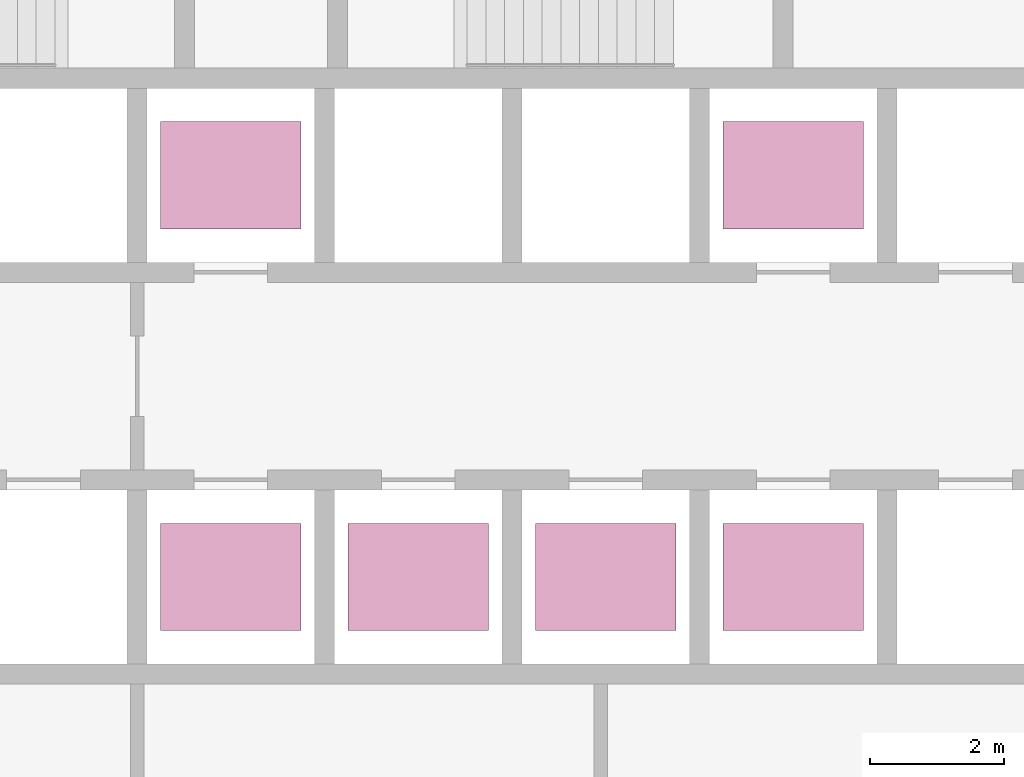
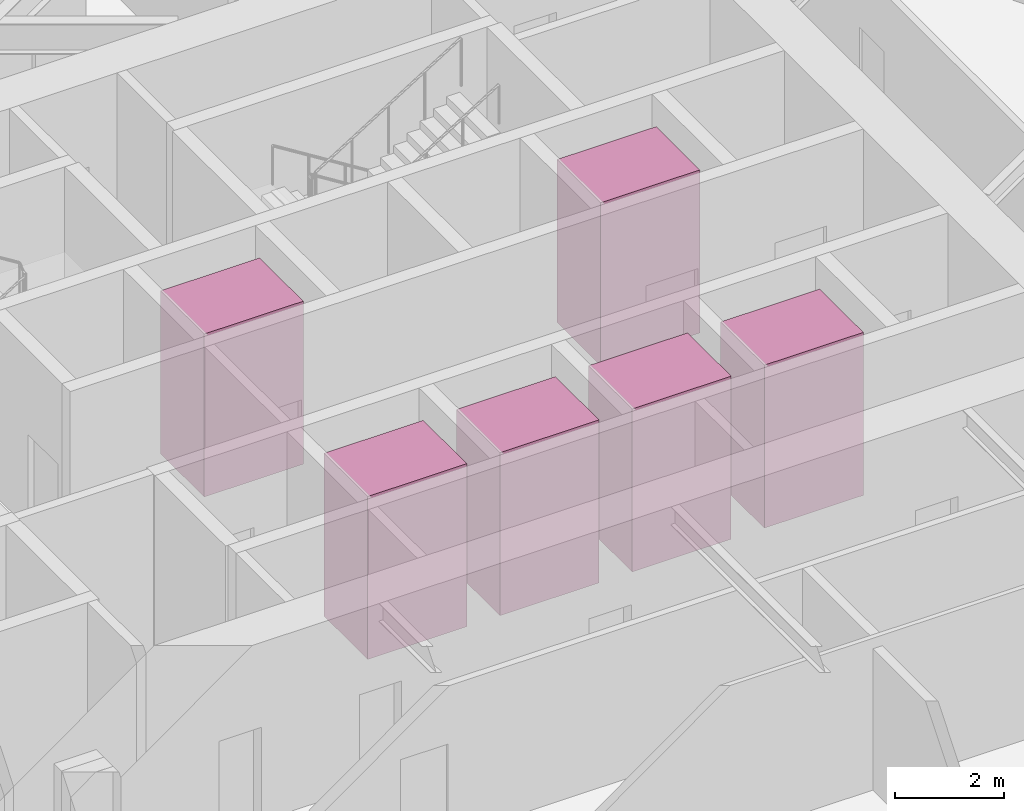
# One storey, part 19 of 19: 6 transport elements.
"""IFC4 building model written with IfcOpenShell, lengths in metres."""

from ifc_helpers import new_model, si_unit, direction, frame, origin, origin_2d, place, context, subcontext, project, spatial, rectangle, extrude, material, type_object, element, save


model = new_model("IFC4")

# Units and contexts
model_context = context("Model", 3, precision=1e-05, world=origin(), true_north=direction((0.0, 1.0)))
body_context = subcontext(model_context, "Body", "Model", "MODEL_VIEW")
ifc_project = project(units=[si_unit("LENGTHUNIT", "METRE"), si_unit("AREAUNIT", "SQUARE_METRE"), si_unit("VOLUMEUNIT", "CUBIC_METRE"), si_unit("PLANEANGLEUNIT", "RADIAN"), si_unit("MASSUNIT", "GRAM", prefix="KILO")], contexts=[model_context])

# Site, building, storey
site_placement = place(None, origin())
site = spatial("IfcSite", under=ifc_project, at=site_placement, CompositionType="ELEMENT")
building_placement = place(site_placement, origin())
building = spatial("IfcBuilding", under=site, at=building_placement, Name="Firuza Gate Tower and Library", CompositionType="ELEMENT")
storey_placement = place(building_placement, frame((0.0, 0.0, 124.0)))
storey = spatial("IfcBuildingStorey", under=building, at=storey_placement, Name="L28", CompositionType="ELEMENT", Elevation=124.0)

# Transport elements
ifc_material = material(Name="Stainless steel and glass", Category="steel")
transport_element_type = type_object("IfcTransportElementType", Name="Low-rise lift car 2100x1600", PredefinedType="ELEVATOR", material=ifc_material)
for number, where, z_axis, x_axis, name in (
    (1, (74.64990234375, 70.300048828125, 0.0), (0.0, 0.0, 1.0), (1.0, 0.0, 0.0), "Low-rise lift LR1"),
    (2, (77.449951171875, 70.300048828125, 0.0), (0.0, 0.0, 1.0), (1.0, 0.0, 0.0), "Low-rise lift LR2"),
    (3, (80.25, 70.300048828125, 0.0), (0.0, 0.0, 1.0), (1.0, 0.0, 0.0), "Low-rise lift LR3"),
    (4, (74.64990234375, 76.300048828125, 0.0), (0.0, 0.0, 1.0), (1.0, 0.0, 0.0), "Low-rise lift LR4"),
    (5, (83.050048828125, 70.300048828125, 0.0), (0.0, 0.0, 1.0), (1.0, 0.0, 0.0), "Low-rise lift LR5"),
    (6, (83.050048828125, 76.300048828125, 0.0), (0.0, 0.0, 1.0), (1.0, 0.0, 0.0), "Low-rise lift LR6"),
):
    element("IfcTransportElement", number, at=place(storey_placement, frame(where, z_axis=z_axis, x_axis=x_axis)), inside=storey, type_object=transport_element_type, Name=name, PredefinedType="ELEVATOR", context=body_context, shape_type="SweptSolid", body=[
        extrude(rectangle(XDim=2.10009765625, YDim=1.60009765625, at=origin_2d()), origin(), (0.0, 0.0, 1.0), 3.64990234375),
    ])

save(model, "model.ifc")
